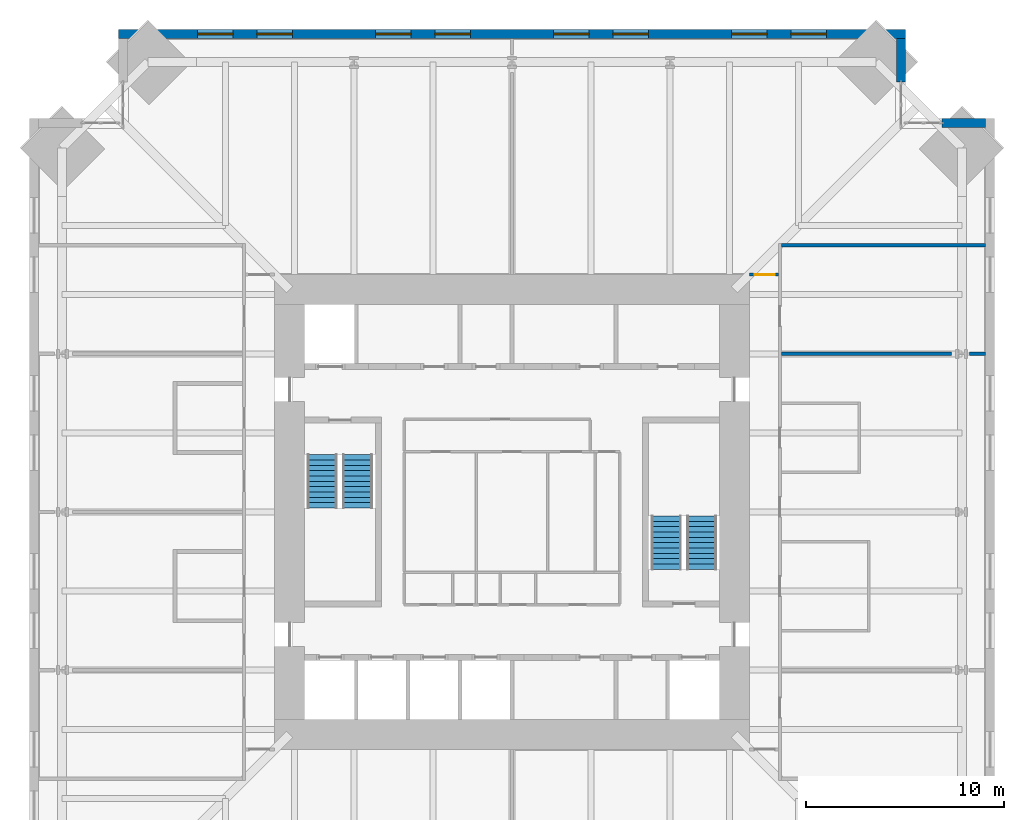
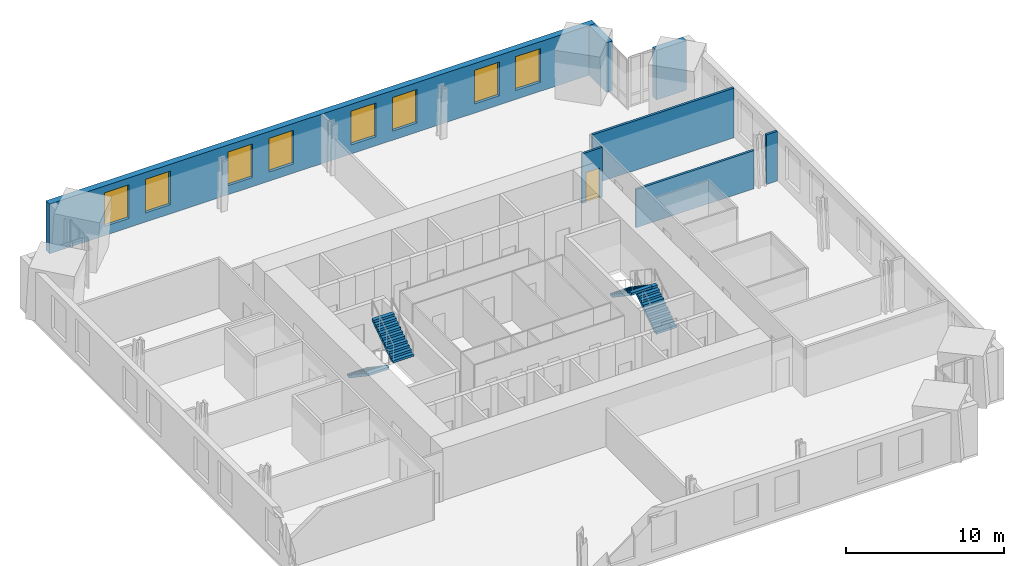
# One storey, part 14 of 15: 8 windows, 7 walls, 4 stair flights, 1 door, 9 openings, 2 elements without a shape of their own.
"""IFC4 building model written with IfcOpenShell, lengths in metres."""

import ifcopenshell
import ifcopenshell.guid

model = None  # the IFC model being written
_history = None  # IfcOwnerHistory: only IFC2X3 demands one
_inside = {}  # id of a spatial element -> (the spatial element, [elements in it])
_under = {}  # id of a project, library or spatial element -> (it, [spatial elements below it])
_declared = {}  # id of a project -> (the project, [libraries it declares])
_typed = {}  # id of a type object -> (the type object, [elements of that type])
_made_of = {}  # id of a material, layer set ... -> (it, [elements and type objects made of it])


def new_model(schema):
    """Start an empty IFC model of exactly this schema.

    Asked for "IFC4X3", IfcOpenShell would pick the latest addendum, in which some entities
    have other attributes; the version numbers below select the first issue.
    IFC2X3 requires an IfcOwnerHistory on every rooted entity: one is made here for all.
    """
    global model, _history
    if schema == "IFC4X3":
        model = ifcopenshell.file(schema_version=(4, 3, 0, 0))
    else:
        model = ifcopenshell.file(schema=schema)
    _inside.clear()
    _under.clear()
    _declared.clear()
    _typed.clear()
    _made_of.clear()
    _history = None
    if model.schema == "IFC2X3":
        org = make("IfcOrganization", Name="unknown")
        user = make(
            "IfcPersonAndOrganization",
            ThePerson=make("IfcPerson", FamilyName="unknown"),
            TheOrganization=org,
        )
        app = make(
            "IfcApplication",
            ApplicationDeveloper=org,
            Version="unknown",
            ApplicationFullName="unknown",
            ApplicationIdentifier="unknown",
        )
        _history = make(
            "IfcOwnerHistory",
            OwningUser=user,
            OwningApplication=app,
            ChangeAction="ADDED",
            CreationDate=0,
        )
    return model


def make(cls, **values):
    """One entity of the class cls with the attributes given. An attribute that is None is left unset."""
    return model.create_entity(
        cls, **{name: value for name, value in values.items() if value is not None}
    )


def rooted(cls, **values):
    """An entity with a GlobalId (a new one), such as an element, a storey or a relation."""
    return make(cls, GlobalId=ifcopenshell.guid.new(), OwnerHistory=_history, **values)


def si_unit(unit_type, name, prefix=None):
    """IfcSIUnit, for example si_unit("LENGTHUNIT", "METRE", prefix="MILLI")."""
    return make("IfcSIUnit", UnitType=unit_type, Prefix=prefix, Name=name)


def assignment(units):
    """IfcUnitAssignment: the units of a project."""
    return None if units is None else make("IfcUnitAssignment", Units=units)


def point(xyz):
    """IfcCartesianPoint."""
    return None if xyz is None else make("IfcCartesianPoint", Coordinates=xyz)


def direction(xyz):
    """IfcDirection."""
    return None if xyz is None else make("IfcDirection", DirectionRatios=xyz)


def frame(location, z_axis=None, x_axis=None):
    """IfcAxis2Placement3D, a coordinate frame: its origin and axes. An axis left out is left unset."""
    return make(
        "IfcAxis2Placement3D",
        Location=point(location),
        Axis=direction(z_axis),
        RefDirection=direction(x_axis),
    )


def frame_2d(location, x_axis=None):
    """IfcAxis2Placement2D, a coordinate frame in the plane: its origin and x axis."""
    return make(
        "IfcAxis2Placement2D", Location=point(location), RefDirection=direction(x_axis)
    )


def origin():
    """The frame at (0, 0, 0) with its axes left unset."""
    return frame((0.0, 0.0, 0.0))


def place(relative_to, where):
    """IfcLocalPlacement: puts the frame where relative to a parent placement (None: the world)."""
    return make(
        "IfcLocalPlacement", PlacementRelTo=relative_to, RelativePlacement=where
    )


def context(
    kind, dimensions, precision=None, world=None, true_north=None, identifier=None
):
    """IfcGeometricRepresentationContext, for example the 3D "Model" context."""
    return make(
        "IfcGeometricRepresentationContext",
        ContextIdentifier=identifier,
        ContextType=kind,
        CoordinateSpaceDimension=dimensions,
        Precision=precision,
        WorldCoordinateSystem=world,
        TrueNorth=true_north,
    )


def subcontext(parent, identifier, kind, view, scale=None):
    """IfcGeometricRepresentationSubContext, for example "Body" below "Model"."""
    return make(
        "IfcGeometricRepresentationSubContext",
        ContextIdentifier=identifier,
        ContextType=kind,
        ParentContext=parent,
        TargetScale=scale,
        TargetView=view,
    )


def project(units=None, contexts=None):
    """IfcProject with its units and contexts."""
    return rooted(
        "IfcProject",
        Name="project",
        RepresentationContexts=contexts,
        UnitsInContext=assignment(units),
    )


def spatial(cls, under=None, at=None, **own):
    """A site, building, storey or space (cls), placed at a placement, below another one or the project."""
    s = rooted(cls, ObjectPlacement=at, **own)
    if under is not None:
        _under.setdefault(under.id(), (under, []))[1].append(s)
    return s


def polyline(points):
    """IfcPolyline through the points."""
    return make("IfcPolyline", Points=[point(p) for p in points])


def profile(cls, at=None, kind="AREA", **sizes):
    """A parametric profile (cls). Its sizes go by their IFC names, for example OverallWidth=200.0."""
    return make(cls, ProfileType=kind, Position=at, **sizes)


def rectangle(**sizes):
    """IfcRectangleProfileDef."""
    return profile("IfcRectangleProfileDef", **sizes)


def outline(outer, holes=None, kind="AREA"):
    """IfcArbitraryClosedProfileDef: a profile drawn as a closed curve; with holes, ...WithVoids."""
    if holes is None:
        return make("IfcArbitraryClosedProfileDef", ProfileType=kind, OuterCurve=outer)
    return make(
        "IfcArbitraryProfileDefWithVoids",
        ProfileType=kind,
        OuterCurve=outer,
        InnerCurves=holes,
    )


def extrude(swept, where, along, depth):
    """IfcExtrudedAreaSolid: the profile swept, set in the frame where, extruded along a direction by depth."""
    return make(
        "IfcExtrudedAreaSolid",
        SweptArea=swept,
        Position=where,
        ExtrudedDirection=direction(along),
        Depth=depth,
    )


def shape(context_of_items, identifier, shape_type, items):
    """IfcShapeRepresentation: the items that make up one representation, for example the "Body"."""
    return make(
        "IfcShapeRepresentation",
        ContextOfItems=context_of_items,
        RepresentationIdentifier=identifier,
        RepresentationType=shape_type,
        Items=items,
    )


def material(Name=None, Category=None):
    """IfcMaterial."""
    return make("IfcMaterial", Name=Name, Category=Category)


def layer(
    of_material, thickness, ventilated=None, Name=None, Category=None, Priority=None
):
    """IfcMaterialLayer: one layer of a wall or slab, of a material (None: an air gap)."""
    return make(
        "IfcMaterialLayer",
        Material=of_material,
        LayerThickness=thickness,
        IsVentilated=ventilated,
        Name=Name,
        Category=Category,
        Priority=Priority,
    )


def layer_set(layers, Name=None):
    """IfcMaterialLayerSet."""
    return make("IfcMaterialLayerSet", MaterialLayers=layers, LayerSetName=Name)


def made_of(thing, what):
    """Note that an element or type object is made of a material, layer set ...; save() writes the relation."""
    if what is not None:
        _made_of.setdefault(what.id(), (what, []))[1].append(thing)
    return thing


def type_object(cls, material=None, **own):
    """A type object (cls), such as IfcWallType, which elements share."""
    return made_of(rooted(cls, **own), material)


def element(
    cls,
    number,
    at=None,
    inside=None,
    cuts=None,
    type_object=None,
    material=None,
    context=None,
    identifier="Body",
    shape_type=None,
    held_by="IfcProductDefinitionShape",
    body=None,
    shapes=None,
    **own,
):
    """One element of the class cls, such as IfcWall. Its Tag is "e" and its number.

    at: its placement. inside: the storey or other place that contains it. cuts: it is an
    opening in that element (IfcRelVoidsElement). A single representation is given by context,
    identifier, shape_type and body (its items); several are given by shapes. held_by: the class
    of the entity that holds the representations. save() writes the other relations.
    """
    e = rooted(cls, Tag="e%d" % number, ObjectPlacement=at, **own)
    if body is not None:
        shapes = [shape(context, identifier, shape_type, body)]
    if shapes is not None:
        e.Representation = make(held_by, Representations=shapes)
    if inside is not None:
        _inside.setdefault(inside.id(), (inside, []))[1].append(e)
    if cuts is not None:
        rooted(
            "IfcRelVoidsElement", RelatingBuildingElement=cuts, RelatedOpeningElement=e
        )
    if type_object is not None:
        _typed.setdefault(type_object.id(), (type_object, []))[1].append(e)
    return made_of(e, material)


def fill(opening, filler):
    """IfcRelFillsElement: the door or window that sits in an opening."""
    return rooted(
        "IfcRelFillsElement",
        RelatingOpeningElement=opening,
        RelatedBuildingElement=filler,
    )


def aggregate(whole, parts):
    """IfcRelAggregates: a whole, such as a stair, and the parts it consists of."""
    return rooted("IfcRelAggregates", RelatingObject=whole, RelatedObjects=parts)


def save(model, path):
    """Write the relations noted so far, then the file.

    IfcRelAggregates (storeys below a building ...), IfcRelContainedInSpatialStructure (elements
    in a storey), IfcRelDefinesByType, IfcRelAssociatesMaterial and IfcRelDeclares: one each for
    every whole, place, type object, material and project.
    """
    for whole, parts in _under.values():
        aggregate(whole, parts)
    for where, things in _inside.values():
        rooted(
            "IfcRelContainedInSpatialStructure",
            RelatedElements=things,
            RelatingStructure=where,
        )
    for kind, things in _typed.values():
        rooted("IfcRelDefinesByType", RelatedObjects=things, RelatingType=kind)
    for what, things in _made_of.values():
        rooted("IfcRelAssociatesMaterial", RelatedObjects=things, RelatingMaterial=what)
    for by, libraries in _declared.values():
        rooted("IfcRelDeclares", RelatingContext=by, RelatedDefinitions=libraries)
    model.write(path)


model = new_model("IFC4")

# Units and contexts
model_context = context("Model", 3, precision=1e-05, world=origin(), true_north=direction((0.0, 1.0)))
body_context = subcontext(model_context, "Body", "Model", "MODEL_VIEW")
ifc_project = project(units=[si_unit("LENGTHUNIT", "METRE"), si_unit("AREAUNIT", "SQUARE_METRE"), si_unit("VOLUMEUNIT", "CUBIC_METRE"), si_unit("PLANEANGLEUNIT", "RADIAN"), si_unit("MASSUNIT", "GRAM", prefix="KILO")], contexts=[model_context])

# Site, building, storey
site_placement = place(None, origin())
site = spatial("IfcSite", under=ifc_project, at=site_placement, CompositionType="ELEMENT")
building_placement = place(site_placement, origin())
building = spatial("IfcBuilding", under=site, at=building_placement, Name="Peilmerk Tower", CompositionType="ELEMENT")
storey_placement = place(building_placement, frame((0.0, 0.0, 201.800048828125)))
storey = spatial("IfcBuildingStorey", under=building, at=storey_placement, Name="L43", CompositionType="ELEMENT", Elevation=201.800048828125)

# Wall, openings, windows
ifc_material_1 = material(Name="Precast concrete C45/55, board-marked finish", Category="concrete")
ifc_layer_1 = layer(ifc_material_1, 0.449951171875)
ifc_layer_set_1 = layer_set([ifc_layer_1], Name="Precast concrete C45/55, board-marked finish")
wall_type_1 = type_object("IfcWallType", Name="EW1 450 precast concrete facade wall, board-marked", PredefinedType="SOLIDWALL", material=ifc_layer_set_1)
wall_1_placement = place(storey_placement, frame((19.89990234375, 24.175048828125, 0.0), z_axis=(0.0, 0.0, 1.0), x_axis=(-1.0, 0.0, 0.0)))
wall_1 = element("IfcWall", 1, at=wall_1_placement, inside=storey, type_object=wall_type_1, Name="Facade wall N L43", PredefinedType="SOLIDWALL", context=body_context, shape_type="SweptSolid", body=[
    extrude(rectangle(XDim=39.7998046875, YDim=0.449951171875, at=frame_2d((19.89990234375, 0.0))), origin(), (0.0, 0.0, 1.0), 3.829833984375),
])
opening_1_placement = place(wall_1_placement, frame((4.0, 0.0, 0.699951171875)))
opening_1 = element("IfcOpeningElement", 2, at=opening_1_placement, cuts=wall_1, Name="Opening W1", PredefinedType="OPENING", context=body_context, shape_type="SweptSolid", body=[
    extrude(rectangle(XDim=1.800048828125, YDim=2.60009765625, at=frame_2d((0.89990234375, 1.300048828125))), frame((0.0, 0.23486328125, 0.0), z_axis=(0.0, -1.0, 0.0), x_axis=(1.0, 0.0, 0.0)), (0.0, 0.0, 1.0), 0.469970703125),
])
opening_2_placement = place(wall_1_placement, frame((7.0, 0.0, 0.699951171875)))
opening_2 = element("IfcOpeningElement", 3, at=opening_2_placement, cuts=wall_1, Name="Opening W1", PredefinedType="OPENING", context=body_context, shape_type="SweptSolid", body=[
    extrude(rectangle(XDim=1.800048828125, YDim=2.60009765625, at=frame_2d((0.89990234375, 1.300048828125))), frame((0.0, 0.23486328125, 0.0), z_axis=(0.0, -1.0, 0.0), x_axis=(1.0, 0.0, 0.0)), (0.0, 0.0, 1.0), 0.469970703125),
])
opening_3_placement = place(wall_1_placement, frame((13.0, 0.0, 0.699951171875)))
opening_3 = element("IfcOpeningElement", 4, at=opening_3_placement, cuts=wall_1, Name="Opening W1", PredefinedType="OPENING", context=body_context, shape_type="SweptSolid", body=[
    extrude(rectangle(XDim=1.800048828125, YDim=2.60009765625, at=frame_2d((0.89990234375, 1.300048828125))), frame((0.0, 0.23486328125, 0.0), z_axis=(0.0, -1.0, 0.0), x_axis=(1.0, 0.0, 0.0)), (0.0, 0.0, 1.0), 0.469970703125),
])
opening_4_placement = place(wall_1_placement, frame((16.0, 0.0, 0.699951171875)))
opening_4 = element("IfcOpeningElement", 5, at=opening_4_placement, cuts=wall_1, Name="Opening W1", PredefinedType="OPENING", context=body_context, shape_type="SweptSolid", body=[
    extrude(rectangle(XDim=1.800048828125, YDim=2.60009765625, at=frame_2d((0.89990234375, 1.300048828125))), frame((0.0, 0.23486328125, 0.0), z_axis=(0.0, -1.0, 0.0), x_axis=(1.0, 0.0, 0.0)), (0.0, 0.0, 1.0), 0.469970703125),
])
opening_5_placement = place(wall_1_placement, frame((22.0, 0.0, 0.699951171875)))
opening_5 = element("IfcOpeningElement", 6, at=opening_5_placement, cuts=wall_1, Name="Opening W1", PredefinedType="OPENING", context=body_context, shape_type="SweptSolid", body=[
    extrude(rectangle(XDim=1.800048828125, YDim=2.60009765625, at=frame_2d((0.89990234375, 1.300048828125))), frame((0.0, 0.23486328125, 0.0), z_axis=(0.0, -1.0, 0.0), x_axis=(1.0, 0.0, 0.0)), (0.0, 0.0, 1.0), 0.469970703125),
])
opening_6_placement = place(wall_1_placement, frame((25.0, 0.0, 0.699951171875)))
opening_6 = element("IfcOpeningElement", 7, at=opening_6_placement, cuts=wall_1, Name="Opening W1", PredefinedType="OPENING", context=body_context, shape_type="SweptSolid", body=[
    extrude(rectangle(XDim=1.800048828125, YDim=2.60009765625, at=frame_2d((0.89990234375, 1.300048828125))), frame((0.0, 0.23486328125, 0.0), z_axis=(0.0, -1.0, 0.0), x_axis=(1.0, 0.0, 0.0)), (0.0, 0.0, 1.0), 0.469970703125),
])
opening_7_placement = place(wall_1_placement, frame((31.0, 0.0, 0.699951171875)))
opening_7 = element("IfcOpeningElement", 8, at=opening_7_placement, cuts=wall_1, Name="Opening W1", PredefinedType="OPENING", context=body_context, shape_type="SweptSolid", body=[
    extrude(rectangle(XDim=1.800048828125, YDim=2.60009765625, at=frame_2d((0.89990234375, 1.300048828125))), frame((0.0, 0.23486328125, 0.0), z_axis=(0.0, -1.0, 0.0), x_axis=(1.0, 0.0, 0.0)), (0.0, 0.0, 1.0), 0.469970703125),
])
opening_8_placement = place(wall_1_placement, frame((34.0, 0.0, 0.699951171875)))
opening_8 = element("IfcOpeningElement", 9, at=opening_8_placement, cuts=wall_1, Name="Opening W1", PredefinedType="OPENING", context=body_context, shape_type="SweptSolid", body=[
    extrude(rectangle(XDim=1.800048828125, YDim=2.60009765625, at=frame_2d((0.89990234375, 1.300048828125))), frame((0.0, 0.23486328125, 0.0), z_axis=(0.0, -1.0, 0.0), x_axis=(1.0, 0.0, 0.0)), (0.0, 0.0, 1.0), 0.469970703125),
])
ifc_material_2 = material(Name="Aluminium frame, clear double glazing", Category="aluminium")
window_type = type_object("IfcWindowType", Name="W1 1800x2600 office window", PartitioningType="SINGLE_PANEL", PredefinedType="WINDOW", material=ifc_material_2)
window_1_placement = place(opening_1_placement, origin())
window_1 = element("IfcWindow", 10, at=window_1_placement, inside=storey, type_object=window_type, Name="Window W1 L43", OverallHeight=2.60009765625, OverallWidth=1.800048828125, PartitioningType="SINGLE_PANEL", PredefinedType="WINDOW", context=body_context, shape_type="SweptSolid", body=[
    extrude(rectangle(XDim=1.800048828125, YDim=2.60009765625, at=frame_2d((0.89990234375, 1.300048828125))), frame((0.0, 0.030029296875, 0.0), z_axis=(0.0, -1.0, 0.0), x_axis=(1.0, 0.0, 0.0)), (0.0, 0.0, 1.0), 0.06005859375),
])
fill(opening_1, window_1)
window_2_placement = place(opening_2_placement, origin())
window_2 = element("IfcWindow", 11, at=window_2_placement, inside=storey, type_object=window_type, Name="Window W1 L43", OverallHeight=2.60009765625, OverallWidth=1.800048828125, PartitioningType="SINGLE_PANEL", PredefinedType="WINDOW", context=body_context, shape_type="SweptSolid", body=[
    extrude(rectangle(XDim=1.800048828125, YDim=2.60009765625, at=frame_2d((0.89990234375, 1.300048828125))), frame((0.0, 0.030029296875, 0.0), z_axis=(0.0, -1.0, 0.0), x_axis=(1.0, 0.0, 0.0)), (0.0, 0.0, 1.0), 0.06005859375),
])
fill(opening_2, window_2)
window_3_placement = place(opening_3_placement, origin())
window_3 = element("IfcWindow", 12, at=window_3_placement, inside=storey, type_object=window_type, Name="Window W1 L43", OverallHeight=2.60009765625, OverallWidth=1.800048828125, PartitioningType="SINGLE_PANEL", PredefinedType="WINDOW", context=body_context, shape_type="SweptSolid", body=[
    extrude(rectangle(XDim=1.800048828125, YDim=2.60009765625, at=frame_2d((0.89990234375, 1.300048828125))), frame((0.0, 0.030029296875, 0.0), z_axis=(0.0, -1.0, 0.0), x_axis=(1.0, 0.0, 0.0)), (0.0, 0.0, 1.0), 0.06005859375),
])
fill(opening_3, window_3)
window_4_placement = place(opening_4_placement, origin())
window_4 = element("IfcWindow", 13, at=window_4_placement, inside=storey, type_object=window_type, Name="Window W1 L43", OverallHeight=2.60009765625, OverallWidth=1.800048828125, PartitioningType="SINGLE_PANEL", PredefinedType="WINDOW", context=body_context, shape_type="SweptSolid", body=[
    extrude(rectangle(XDim=1.800048828125, YDim=2.60009765625, at=frame_2d((0.89990234375, 1.300048828125))), frame((0.0, 0.030029296875, 0.0), z_axis=(0.0, -1.0, 0.0), x_axis=(1.0, 0.0, 0.0)), (0.0, 0.0, 1.0), 0.06005859375),
])
fill(opening_4, window_4)
window_5_placement = place(opening_5_placement, origin())
window_5 = element("IfcWindow", 14, at=window_5_placement, inside=storey, type_object=window_type, Name="Window W1 L43", OverallHeight=2.60009765625, OverallWidth=1.800048828125, PartitioningType="SINGLE_PANEL", PredefinedType="WINDOW", context=body_context, shape_type="SweptSolid", body=[
    extrude(rectangle(XDim=1.800048828125, YDim=2.60009765625, at=frame_2d((0.89990234375, 1.300048828125))), frame((0.0, 0.030029296875, 0.0), z_axis=(0.0, -1.0, 0.0), x_axis=(1.0, 0.0, 0.0)), (0.0, 0.0, 1.0), 0.06005859375),
])
fill(opening_5, window_5)
window_6_placement = place(opening_6_placement, origin())
window_6 = element("IfcWindow", 15, at=window_6_placement, inside=storey, type_object=window_type, Name="Window W1 L43", OverallHeight=2.60009765625, OverallWidth=1.800048828125, PartitioningType="SINGLE_PANEL", PredefinedType="WINDOW", context=body_context, shape_type="SweptSolid", body=[
    extrude(rectangle(XDim=1.800048828125, YDim=2.60009765625, at=frame_2d((0.89990234375, 1.300048828125))), frame((0.0, 0.030029296875, 0.0), z_axis=(0.0, -1.0, 0.0), x_axis=(1.0, 0.0, 0.0)), (0.0, 0.0, 1.0), 0.06005859375),
])
fill(opening_6, window_6)
window_7_placement = place(opening_7_placement, origin())
window_7 = element("IfcWindow", 16, at=window_7_placement, inside=storey, type_object=window_type, Name="Window W1 L43", OverallHeight=2.60009765625, OverallWidth=1.800048828125, PartitioningType="SINGLE_PANEL", PredefinedType="WINDOW", context=body_context, shape_type="SweptSolid", body=[
    extrude(rectangle(XDim=1.800048828125, YDim=2.60009765625, at=frame_2d((0.89990234375, 1.300048828125))), frame((0.0, 0.030029296875, 0.0), z_axis=(0.0, -1.0, 0.0), x_axis=(1.0, 0.0, 0.0)), (0.0, 0.0, 1.0), 0.06005859375),
])
fill(opening_7, window_7)
window_8_placement = place(opening_8_placement, origin())
window_8 = element("IfcWindow", 17, at=window_8_placement, inside=storey, type_object=window_type, Name="Window W1 L43", OverallHeight=2.60009765625, OverallWidth=1.800048828125, PartitioningType="SINGLE_PANEL", PredefinedType="WINDOW", context=body_context, shape_type="SweptSolid", body=[
    extrude(rectangle(XDim=1.800048828125, YDim=2.60009765625, at=frame_2d((0.89990234375, 1.300048828125))), frame((0.0, 0.030029296875, 0.0), z_axis=(0.0, -1.0, 0.0), x_axis=(1.0, 0.0, 0.0)), (0.0, 0.0, 1.0), 0.06005859375),
])
fill(opening_8, window_8)

# Walls
for number, where, z_axis, x_axis, name in (
    (18, (19.675048828125, 21.753662109375, 0.0), (0.0, 0.0, 1.0), (0.0, 1.0, 0.0), "Facade wall NEA L43"),
    (19, (21.753662109375, 19.675048828125, 0.0), (0.0, 0.0, 1.0), (1.0, 0.0, 0.0), "Facade wall NEB L43"),
):
    element("IfcWall", number, at=place(storey_placement, frame(where, z_axis=z_axis, x_axis=x_axis)), inside=storey, type_object=wall_type_1, Name=name, PredefinedType="SOLIDWALL", context=body_context, shape_type="SweptSolid", body=[
        extrude(rectangle(XDim=2.1962890625, YDim=0.449951171875, at=frame_2d((1.09814453125, 0.0))), origin(), (0.0, 0.0, 1.0), 3.829833984375),
    ])

# Wall, opening, door
ifc_material_3 = material(Name="Calcium silicate block", Category="masonry")
ifc_layer_2 = layer(ifc_material_3, 0.14990234375)
ifc_layer_set_2 = layer_set([ifc_layer_2], Name="Calcium silicate block")
wall_type_2 = type_object("IfcWallType", Name="IW1 150 corridor partition, EI 60", PredefinedType="PARTITIONING", material=ifc_layer_set_2)
wall_2_placement = place(storey_placement, frame((12.0, 12.0, 0.0), z_axis=(0.0, 0.0, 1.0), x_axis=(1.0, 0.0, 0.0)))
wall_2 = element("IfcWall", 20, at=wall_2_placement, inside=storey, type_object=wall_type_2, Name="Corridor wall NE L43", PredefinedType="PARTITIONING", context=body_context, shape_type="SweptSolid", body=[
    extrude(rectangle(XDim=1.47509765625, YDim=0.14990234375, at=frame_2d((0.737548828125, 0.0))), origin(), (0.0, 0.0, 1.0), 3.829833984375),
])
opening_9_placement = place(wall_2_placement, frame((0.27490234375, 0.0, 0.0)))
opening_9 = element("IfcOpeningElement", 21, at=opening_9_placement, cuts=wall_2, Name="Opening D1", PredefinedType="OPENING", context=body_context, shape_type="SweptSolid", body=[
    extrude(rectangle(XDim=1.0, YDim=2.300048828125, at=frame_2d((0.5, 1.14990234375))), frame((0.0, 0.0849609375, 0.0), z_axis=(0.0, -1.0, 0.0), x_axis=(1.0, 0.0, 0.0)), (0.0, 0.0, 1.0), 0.169921875),
])
ifc_material_4 = material(Name="Timber door in steel frame", Category="steel")
door_type = type_object("IfcDoorType", Name="D1 1000x2300 room door, EI2 30", OperationType="SINGLE_SWING_LEFT", PredefinedType="DOOR", material=ifc_material_4)
door_placement = place(opening_9_placement, origin())
door = element("IfcDoor", 22, at=door_placement, inside=storey, type_object=door_type, Name="Door Hardware lab L43", OperationType="SINGLE_SWING_LEFT", OverallHeight=2.300048828125, OverallWidth=1.0, PredefinedType="DOOR", context=body_context, shape_type="SweptSolid", body=[
    extrude(rectangle(XDim=1.0, YDim=2.300048828125, at=frame_2d((0.5, 1.14990234375))), frame((0.0, 0.02490234375, 0.0), z_axis=(0.0, -1.0, 0.0), x_axis=(1.0, 0.0, 0.0)), (0.0, 0.0, 1.0), 0.050048828125),
])
fill(opening_9, door)

# Walls
ifc_layer_3 = layer(ifc_material_3, 0.175048828125)
ifc_layer_set_3 = layer_set([ifc_layer_3], Name="Calcium silicate block")
wall_type_3 = type_object("IfcWallType", Name="IW8 175 tenant separating wall, EI 60", PredefinedType="PARTITIONING", material=ifc_layer_set_3)
wall_3_placement = place(storey_placement, frame((13.625, 13.5, 0.0), z_axis=(0.0, 0.0, 1.0), x_axis=(1.0, 0.0, 0.0)))
element("IfcWall", 23, at=wall_3_placement, inside=storey, type_object=wall_type_3, Name="Tenant separating wall NE L43", PredefinedType="PARTITIONING", context=body_context, shape_type="SweptSolid", body=[
    extrude(rectangle(XDim=10.324951171875, YDim=0.175048828125, at=frame_2d((5.16259765625, 0.0))), origin(), (0.0, 0.0, 1.0), 3.829833984375),
])
wall_4_placement = place(storey_placement, frame((13.625, 8.0, 0.0), z_axis=(0.0, 0.0, 1.0), x_axis=(1.0, 0.0, 0.0)))
element("IfcWall", 24, at=wall_4_placement, inside=storey, type_object=wall_type_3, Name="Tenant separating wall E2 L43", PredefinedType="PARTITIONING", context=body_context, shape_type="SweptSolid", body=[
    extrude(rectangle(XDim=8.609375, YDim=0.175048828125, at=frame_2d((4.3046875, 0.0))), origin(), (0.0, 0.0, 1.0), 2.93994140625),
])
wall_5_placement = place(storey_placement, frame((23.12353515625, 8.0, 0.0), z_axis=(0.0, 0.0, 1.0), x_axis=(1.0, 0.0, 0.0)))
element("IfcWall", 25, at=wall_5_placement, inside=storey, type_object=wall_type_3, Name="Tenant separating wall E2b L43", PredefinedType="PARTITIONING", context=body_context, shape_type="SweptSolid", body=[
    extrude(rectangle(XDim=0.826416015625, YDim=0.175048828125, at=frame_2d((0.4130859375, 0.0))), origin(), (0.0, 0.0, 1.0), 3.829833984375),
])

# Stair, stair flights
ifc_material_5 = material(Name="Precast concrete C45/55", Category="concrete")
stair_type_1 = type_object("IfcStairType", Name="ST1 22 risers of 181.8", PredefinedType="HALF_TURN_STAIR", material=ifc_material_5)
stair_1_placement = place(storey_placement, origin())
stair_1 = element("IfcStair", 26, at=stair_1_placement, inside=storey, type_object=stair_type_1, Name="Stair 1 L43 to L44", PredefinedType="HALF_TURN_STAIR")
stair_flight_type = type_object("IfcStairFlightType", Name="SF11 flight, 11 risers of 181.8", PredefinedType="STRAIGHT", material=ifc_material_5)
stair_flight_1_placement = place(storey_placement, frame((-9.60009765625, 2.89990234375, 0.0), z_axis=(0.0, 0.0, 1.0), x_axis=(0.0, -1.0, 0.0)))
stair_flight_1 = element("IfcStairFlight", 27, at=stair_flight_1_placement, type_object=stair_flight_type, Name="ST1 flight 1", NumberOfRisers=11, NumberOfTreads=10, PredefinedType="STRAIGHT", RiserHeight=0.181818182, TreadLength=0.27, context=body_context, shape_type="SweptSolid", body=[
    extrude(outline(polyline([(0.0, 0.0), (0.0, 0.181884765625), (0.27001953125, 0.181884765625), (0.27001953125, 0.363525390625), (0.5400390625, 0.363525390625), (0.5400390625, 0.54541015625), (0.81005859375, 0.54541015625), (0.81005859375, 0.727294921875), (1.080078125, 0.727294921875), (1.080078125, 0.9091796875), (1.35009765625, 0.9091796875), (1.35009765625, 1.0908203125), (1.6201171875, 1.0908203125), (1.6201171875, 1.272705078125), (1.889892578125, 1.272705078125), (1.889892578125, 1.45458984375), (2.159912109375, 1.45458984375), (2.159912109375, 1.636474609375), (2.429931640625, 1.636474609375), (2.429931640625, 1.818115234375), (2.699951171875, 1.818115234375), (2.699951171875, 2.0), (2.699951171875, 1.637451171875), (0.268310546875, 0.0), (0.0, 0.0)])), frame((0.0, 0.75, 0.0), z_axis=(0.0, -1.0, 0.0), x_axis=(1.0, 0.0, 0.0)), (0.0, 0.0, 1.0), 1.5),
])
stair_flight_2_placement = place(storey_placement, frame((-7.800048828125, 0.199951171875, 2.0), z_axis=(0.0, 0.0, 1.0), x_axis=(0.0, 1.0, 0.0)))
stair_flight_2 = element("IfcStairFlight", 28, at=stair_flight_2_placement, type_object=stair_flight_type, Name="ST1 flight 2", NumberOfRisers=11, NumberOfTreads=10, PredefinedType="STRAIGHT", RiserHeight=0.181818182, TreadLength=0.27, context=body_context, shape_type="SweptSolid", body=[
    extrude(outline(polyline([(0.0, 0.0), (0.0, 0.181884765625), (0.27001953125, 0.181884765625), (0.27001953125, 0.363525390625), (0.5400390625, 0.363525390625), (0.5400390625, 0.54541015625), (0.81005859375, 0.54541015625), (0.81005859375, 0.727294921875), (1.080078125, 0.727294921875), (1.080078125, 0.9091796875), (1.35009765625, 0.9091796875), (1.35009765625, 1.0908203125), (1.6201171875, 1.0908203125), (1.6201171875, 1.272705078125), (1.889892578125, 1.272705078125), (1.889892578125, 1.45458984375), (2.159912109375, 1.45458984375), (2.159912109375, 1.636474609375), (2.429931640625, 1.636474609375), (2.429931640625, 1.818115234375), (2.699951171875, 1.818115234375), (2.699951171875, 2.0), (2.699951171875, 1.637451171875), (0.268310546875, 0.0), (0.0, 0.0)])), frame((0.0, 0.75, 0.0), z_axis=(0.0, -1.0, 0.0), x_axis=(1.0, 0.0, 0.0)), (0.0, 0.0, 1.0), 1.5),
])
aggregate(stair_1, [stair_flight_1, stair_flight_2])

stair_type_2 = type_object("IfcStairType", Name="ST2 22 risers of 181.8", PredefinedType="HALF_TURN_STAIR", material=ifc_material_5)
stair_2_placement = place(storey_placement, origin())
stair_2 = element("IfcStair", 29, at=stair_2_placement, inside=storey, type_object=stair_type_2, Name="Stair 2 L43 to L44", PredefinedType="HALF_TURN_STAIR")
stair_flight_3_placement = place(storey_placement, frame((9.60009765625, -2.89990234375, 0.0), z_axis=(0.0, 0.0, 1.0), x_axis=(0.0, 1.0, 0.0)))
stair_flight_3 = element("IfcStairFlight", 30, at=stair_flight_3_placement, type_object=stair_flight_type, Name="ST2 flight 1", NumberOfRisers=11, NumberOfTreads=10, PredefinedType="STRAIGHT", RiserHeight=0.181818182, TreadLength=0.27, context=body_context, shape_type="SweptSolid", body=[
    extrude(outline(polyline([(0.0, 0.0), (0.0, 0.181884765625), (0.27001953125, 0.181884765625), (0.27001953125, 0.363525390625), (0.5400390625, 0.363525390625), (0.5400390625, 0.54541015625), (0.81005859375, 0.54541015625), (0.81005859375, 0.727294921875), (1.080078125, 0.727294921875), (1.080078125, 0.9091796875), (1.35009765625, 0.9091796875), (1.35009765625, 1.0908203125), (1.6201171875, 1.0908203125), (1.6201171875, 1.272705078125), (1.889892578125, 1.272705078125), (1.889892578125, 1.45458984375), (2.159912109375, 1.45458984375), (2.159912109375, 1.636474609375), (2.429931640625, 1.636474609375), (2.429931640625, 1.818115234375), (2.699951171875, 1.818115234375), (2.699951171875, 2.0), (2.699951171875, 1.637451171875), (0.268310546875, 0.0), (0.0, 0.0)])), frame((0.0, 0.75, 0.0), z_axis=(0.0, -1.0, 0.0), x_axis=(1.0, 0.0, 0.0)), (0.0, 0.0, 1.0), 1.5),
])
stair_flight_4_placement = place(storey_placement, frame((7.800048828125, -0.199951171875, 2.0), z_axis=(0.0, 0.0, 1.0), x_axis=(0.0, -1.0, 0.0)))
stair_flight_4 = element("IfcStairFlight", 31, at=stair_flight_4_placement, type_object=stair_flight_type, Name="ST2 flight 2", NumberOfRisers=11, NumberOfTreads=10, PredefinedType="STRAIGHT", RiserHeight=0.181818182, TreadLength=0.27, context=body_context, shape_type="SweptSolid", body=[
    extrude(outline(polyline([(0.0, 0.0), (0.0, 0.181884765625), (0.27001953125, 0.181884765625), (0.27001953125, 0.363525390625), (0.5400390625, 0.363525390625), (0.5400390625, 0.54541015625), (0.81005859375, 0.54541015625), (0.81005859375, 0.727294921875), (1.080078125, 0.727294921875), (1.080078125, 0.9091796875), (1.35009765625, 0.9091796875), (1.35009765625, 1.0908203125), (1.6201171875, 1.0908203125), (1.6201171875, 1.272705078125), (1.889892578125, 1.272705078125), (1.889892578125, 1.45458984375), (2.159912109375, 1.45458984375), (2.159912109375, 1.636474609375), (2.429931640625, 1.636474609375), (2.429931640625, 1.818115234375), (2.699951171875, 1.818115234375), (2.699951171875, 2.0), (2.699951171875, 1.637451171875), (0.268310546875, 0.0), (0.0, 0.0)])), frame((0.0, 0.75, 0.0), z_axis=(0.0, -1.0, 0.0), x_axis=(1.0, 0.0, 0.0)), (0.0, 0.0, 1.0), 1.5),
])
aggregate(stair_2, [stair_flight_3, stair_flight_4])

save(model, "model.ifc")
